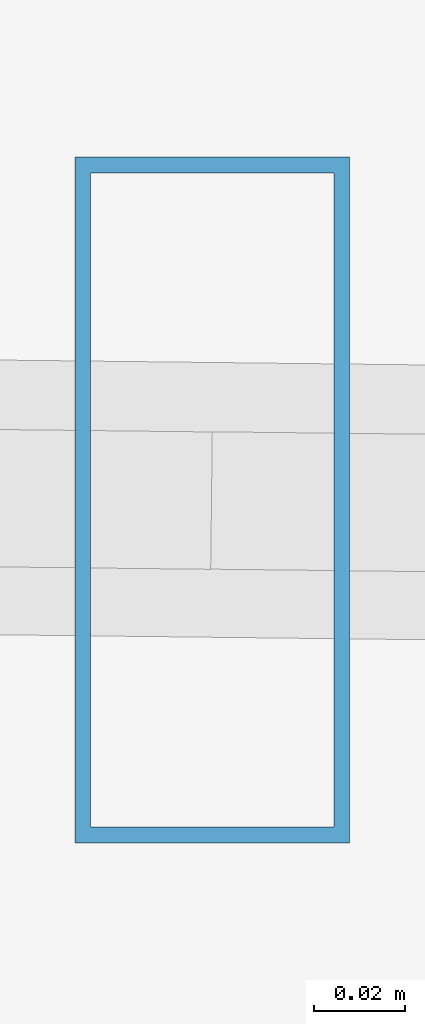
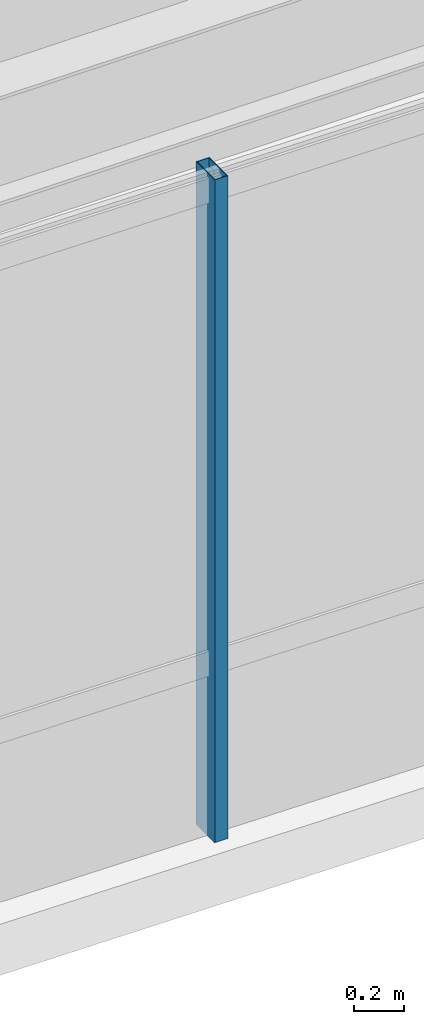
# One storey, part 18 of 40: 1 member, 1 element without a shape of its own.
"""IFC4 building model written with IfcOpenShell, lengths in metres."""

import ifcopenshell
import ifcopenshell.guid

model = None  # the IFC model being written
_history = None  # IfcOwnerHistory: only IFC2X3 demands one
_inside = {}  # id of a spatial element -> (the spatial element, [elements in it])
_under = {}  # id of a project, library or spatial element -> (it, [spatial elements below it])
_declared = {}  # id of a project -> (the project, [libraries it declares])
_typed = {}  # id of a type object -> (the type object, [elements of that type])
_made_of = {}  # id of a material, layer set ... -> (it, [elements and type objects made of it])


def new_model(schema):
    """Start an empty IFC model of exactly this schema.

    Asked for "IFC4X3", IfcOpenShell would pick the latest addendum, in which some entities
    have other attributes; the version numbers below select the first issue.
    IFC2X3 requires an IfcOwnerHistory on every rooted entity: one is made here for all.
    """
    global model, _history
    if schema == "IFC4X3":
        model = ifcopenshell.file(schema_version=(4, 3, 0, 0))
    else:
        model = ifcopenshell.file(schema=schema)
    _inside.clear()
    _under.clear()
    _declared.clear()
    _typed.clear()
    _made_of.clear()
    _history = None
    if model.schema == "IFC2X3":
        org = make("IfcOrganization", Name="unknown")
        user = make(
            "IfcPersonAndOrganization",
            ThePerson=make("IfcPerson", FamilyName="unknown"),
            TheOrganization=org,
        )
        app = make(
            "IfcApplication",
            ApplicationDeveloper=org,
            Version="unknown",
            ApplicationFullName="unknown",
            ApplicationIdentifier="unknown",
        )
        _history = make(
            "IfcOwnerHistory",
            OwningUser=user,
            OwningApplication=app,
            ChangeAction="ADDED",
            CreationDate=0,
        )
    return model


def make(cls, **values):
    """One entity of the class cls with the attributes given. An attribute that is None is left unset."""
    return model.create_entity(
        cls, **{name: value for name, value in values.items() if value is not None}
    )


def rooted(cls, **values):
    """An entity with a GlobalId (a new one), such as an element, a storey or a relation."""
    return make(cls, GlobalId=ifcopenshell.guid.new(), OwnerHistory=_history, **values)


def si_unit(unit_type, name, prefix=None):
    """IfcSIUnit, for example si_unit("LENGTHUNIT", "METRE", prefix="MILLI")."""
    return make("IfcSIUnit", UnitType=unit_type, Prefix=prefix, Name=name)


def assignment(units):
    """IfcUnitAssignment: the units of a project."""
    return None if units is None else make("IfcUnitAssignment", Units=units)


def point(xyz):
    """IfcCartesianPoint."""
    return None if xyz is None else make("IfcCartesianPoint", Coordinates=xyz)


def direction(xyz):
    """IfcDirection."""
    return None if xyz is None else make("IfcDirection", DirectionRatios=xyz)


def frame(location, z_axis=None, x_axis=None):
    """IfcAxis2Placement3D, a coordinate frame: its origin and axes. An axis left out is left unset."""
    return make(
        "IfcAxis2Placement3D",
        Location=point(location),
        Axis=direction(z_axis),
        RefDirection=direction(x_axis),
    )


def frame_2d(location, x_axis=None):
    """IfcAxis2Placement2D, a coordinate frame in the plane: its origin and x axis."""
    return make(
        "IfcAxis2Placement2D", Location=point(location), RefDirection=direction(x_axis)
    )


def origin():
    """The frame at (0, 0, 0) with its axes left unset."""
    return frame((0.0, 0.0, 0.0))


def origin_2d():
    """The frame at (0, 0) in the plane with its x axis left unset."""
    return frame_2d((0.0, 0.0))


def place(relative_to, where):
    """IfcLocalPlacement: puts the frame where relative to a parent placement (None: the world)."""
    return make(
        "IfcLocalPlacement", PlacementRelTo=relative_to, RelativePlacement=where
    )


def context(
    kind, dimensions, precision=None, world=None, true_north=None, identifier=None
):
    """IfcGeometricRepresentationContext, for example the 3D "Model" context."""
    return make(
        "IfcGeometricRepresentationContext",
        ContextIdentifier=identifier,
        ContextType=kind,
        CoordinateSpaceDimension=dimensions,
        Precision=precision,
        WorldCoordinateSystem=world,
        TrueNorth=true_north,
    )


def subcontext(parent, identifier, kind, view, scale=None):
    """IfcGeometricRepresentationSubContext, for example "Body" below "Model"."""
    return make(
        "IfcGeometricRepresentationSubContext",
        ContextIdentifier=identifier,
        ContextType=kind,
        ParentContext=parent,
        TargetScale=scale,
        TargetView=view,
    )


def project(units=None, contexts=None):
    """IfcProject with its units and contexts."""
    return rooted(
        "IfcProject",
        Name="project",
        RepresentationContexts=contexts,
        UnitsInContext=assignment(units),
    )


def spatial(cls, under=None, at=None, **own):
    """A site, building, storey or space (cls), placed at a placement, below another one or the project."""
    s = rooted(cls, ObjectPlacement=at, **own)
    if under is not None:
        _under.setdefault(under.id(), (under, []))[1].append(s)
    return s


def profile(cls, at=None, kind="AREA", **sizes):
    """A parametric profile (cls). Its sizes go by their IFC names, for example OverallWidth=200.0."""
    return make(cls, ProfileType=kind, Position=at, **sizes)


def hollow_rectangle(**sizes):
    """IfcRectangleHollowProfileDef."""
    return profile("IfcRectangleHollowProfileDef", **sizes)


def extrude(swept, where, along, depth):
    """IfcExtrudedAreaSolid: the profile swept, set in the frame where, extruded along a direction by depth."""
    return make(
        "IfcExtrudedAreaSolid",
        SweptArea=swept,
        Position=where,
        ExtrudedDirection=direction(along),
        Depth=depth,
    )


def shape(context_of_items, identifier, shape_type, items):
    """IfcShapeRepresentation: the items that make up one representation, for example the "Body"."""
    return make(
        "IfcShapeRepresentation",
        ContextOfItems=context_of_items,
        RepresentationIdentifier=identifier,
        RepresentationType=shape_type,
        Items=items,
    )


def source(mapping_origin, context_of_items, identifier, shape_type, items):
    """IfcRepresentationMap: a shape defined once, which mapped items show again and again."""
    return make(
        "IfcRepresentationMap",
        MappingOrigin=mapping_origin,
        MappedRepresentation=shape(context_of_items, identifier, shape_type, items),
    )


def transform(
    local_origin,
    x_axis=None,
    y_axis=None,
    z_axis=None,
    scale=None,
    scale2=None,
    scale3=None,
    uniform=True,
):
    """IfcCartesianTransformationOperator3D, or its non-uniform kind. x_axis, y_axis, z_axis: its Axis1, 2, 3."""
    if uniform:
        return make(
            "IfcCartesianTransformationOperator3D",
            Axis1=direction(x_axis),
            Axis2=direction(y_axis),
            LocalOrigin=point(local_origin),
            Scale=scale,
            Axis3=direction(z_axis),
        )
    return make(
        "IfcCartesianTransformationOperator3DnonUniform",
        Axis1=direction(x_axis),
        Axis2=direction(y_axis),
        LocalOrigin=point(local_origin),
        Scale=scale,
        Axis3=direction(z_axis),
        Scale2=scale2,
        Scale3=scale3,
    )


def mapped(mapping_source, mapping_target):
    """IfcMappedItem: shows the shape of a source again, moved by a transform."""
    return make(
        "IfcMappedItem", MappingSource=mapping_source, MappingTarget=mapping_target
    )


def material(Name=None, Category=None):
    """IfcMaterial."""
    return make("IfcMaterial", Name=Name, Category=Category)


def material_profile(
    of_material, cross_section, Name=None, Category=None, Priority=None
):
    """IfcMaterialProfile: a cross section and its material."""
    return make(
        "IfcMaterialProfile",
        Name=Name,
        Material=of_material,
        Profile=cross_section,
        Priority=Priority,
        Category=Category,
    )


def profile_set(profiles, Name=None, composite=None):
    """IfcMaterialProfileSet."""
    return make(
        "IfcMaterialProfileSet",
        Name=Name,
        MaterialProfiles=profiles,
        CompositeProfile=composite,
    )


def made_of(thing, what):
    """Note that an element or type object is made of a material, layer set ...; save() writes the relation."""
    if what is not None:
        _made_of.setdefault(what.id(), (what, []))[1].append(thing)
    return thing


def type_object(cls, material=None, **own):
    """A type object (cls), such as IfcWallType, which elements share."""
    return made_of(rooted(cls, **own), material)


def type_shapes(of_type, sources):
    """Give a type object the sources (RepresentationMaps) that its elements show as mapped items."""
    of_type.RepresentationMaps = sources


def element(
    cls,
    number,
    at=None,
    inside=None,
    cuts=None,
    type_object=None,
    material=None,
    context=None,
    identifier="Body",
    shape_type=None,
    held_by="IfcProductDefinitionShape",
    body=None,
    shapes=None,
    **own,
):
    """One element of the class cls, such as IfcWall. Its Tag is "e" and its number.

    at: its placement. inside: the storey or other place that contains it. cuts: it is an
    opening in that element (IfcRelVoidsElement). A single representation is given by context,
    identifier, shape_type and body (its items); several are given by shapes. held_by: the class
    of the entity that holds the representations. save() writes the other relations.
    """
    e = rooted(cls, Tag="e%d" % number, ObjectPlacement=at, **own)
    if body is not None:
        shapes = [shape(context, identifier, shape_type, body)]
    if shapes is not None:
        e.Representation = make(held_by, Representations=shapes)
    if inside is not None:
        _inside.setdefault(inside.id(), (inside, []))[1].append(e)
    if cuts is not None:
        rooted(
            "IfcRelVoidsElement", RelatingBuildingElement=cuts, RelatedOpeningElement=e
        )
    if type_object is not None:
        _typed.setdefault(type_object.id(), (type_object, []))[1].append(e)
    return made_of(e, material)


def aggregate(whole, parts):
    """IfcRelAggregates: a whole, such as a stair, and the parts it consists of."""
    return rooted("IfcRelAggregates", RelatingObject=whole, RelatedObjects=parts)


def save(model, path):
    """Write the relations noted so far, then the file.

    IfcRelAggregates (storeys below a building ...), IfcRelContainedInSpatialStructure (elements
    in a storey), IfcRelDefinesByType, IfcRelAssociatesMaterial and IfcRelDeclares: one each for
    every whole, place, type object, material and project.
    """
    for whole, parts in _under.values():
        aggregate(whole, parts)
    for where, things in _inside.values():
        rooted(
            "IfcRelContainedInSpatialStructure",
            RelatedElements=things,
            RelatingStructure=where,
        )
    for kind, things in _typed.values():
        rooted("IfcRelDefinesByType", RelatedObjects=things, RelatingType=kind)
    for what, things in _made_of.values():
        rooted("IfcRelAssociatesMaterial", RelatedObjects=things, RelatingMaterial=what)
    for by, libraries in _declared.values():
        rooted("IfcRelDeclares", RelatingContext=by, RelatedDefinitions=libraries)
    model.write(path)


model = new_model("IFC4")

# Units and contexts
model_context = context("Model", 3, precision=1e-05, world=origin(), true_north=direction((0.0, 1.0)))
body_context = subcontext(model_context, "Body", "Model", "MODEL_VIEW")
ifc_project = project(units=[si_unit("LENGTHUNIT", "METRE"), si_unit("AREAUNIT", "SQUARE_METRE"), si_unit("VOLUMEUNIT", "CUBIC_METRE"), si_unit("PLANEANGLEUNIT", "RADIAN"), si_unit("MASSUNIT", "GRAM", prefix="KILO")], contexts=[model_context])

# Site, building, storey
site_placement = place(None, origin())
site = spatial("IfcSite", under=ifc_project, at=site_placement, CompositionType="ELEMENT")
building_placement = place(site_placement, origin())
building = spatial("IfcBuilding", under=site, at=building_placement, Name="Caelisora Broadcast Tower", CompositionType="ELEMENT")
storey_placement = place(building_placement, frame((0.0, 0.0, 216.89990234375)))
storey = spatial("IfcBuildingStorey", under=building, at=storey_placement, Name="L57", CompositionType="ELEMENT", Elevation=216.89990234375)

# Curtain wall, member
ifc_material_1 = material(Name="Unitised Aluminium and Low-E Glass Curtain Wall", Category="glass")
curtain_wall_type = type_object("IfcCurtainWallType", Name="CW-Z4", PredefinedType="NOTDEFINED", material=ifc_material_1)
curtain_wall_placement = place(storey_placement, origin())
curtain_wall = element("IfcCurtainWall", 1, at=curtain_wall_placement, inside=storey, type_object=curtain_wall_type, Name="L57 curtain wall CW-Z4", PredefinedType="NOTDEFINED")
ifc_material_2 = material(Name="Aluminium 6063-T6 Anodised Terracotta Bronze", Category="aluminium")
ifc_material_profile = material_profile(ifc_material_2, hollow_rectangle(XDim=0.06005859375, YDim=0.14990234375, WallThickness=0.00341796875, at=origin_2d()), Name="Aluminium 6063-T6 Anodised Terracotta Bronze")
ifc_profile_set = profile_set([ifc_material_profile], Name="Aluminium 6063-T6 Anodised Terracotta Bronze")
member_type = type_object("IfcMemberType", Name="CWM-03", PredefinedType="MULLION", material=ifc_profile_set)
shared_shape = source(origin(), body_context, "Body", "SweptSolid", [
    extrude(hollow_rectangle(XDim=0.06005859375, YDim=0.14990234375, WallThickness=0.00341796875, at=origin_2d()), origin(), (0.0, 0.0, 1.0), 3.25),
])
type_shapes(member_type, [shared_shape])
member_placement = place(storey_placement, frame((50.05029296875, 7.656494140625, 0.0), z_axis=(0.0, 0.0, 1.0), x_axis=(1.0, 0.0, 0.0)))
member = element("IfcMember", 2, at=member_placement, type_object=member_type, Name="L57-CW-B05 mullion #2", PredefinedType="MULLION", context=body_context, shape_type="MappedRepresentation", body=[
    mapped(shared_shape, transform((0.0, 0.0, 0.0), scale=1.0)),
])
aggregate(curtain_wall, [member])

save(model, "model.ifc")
